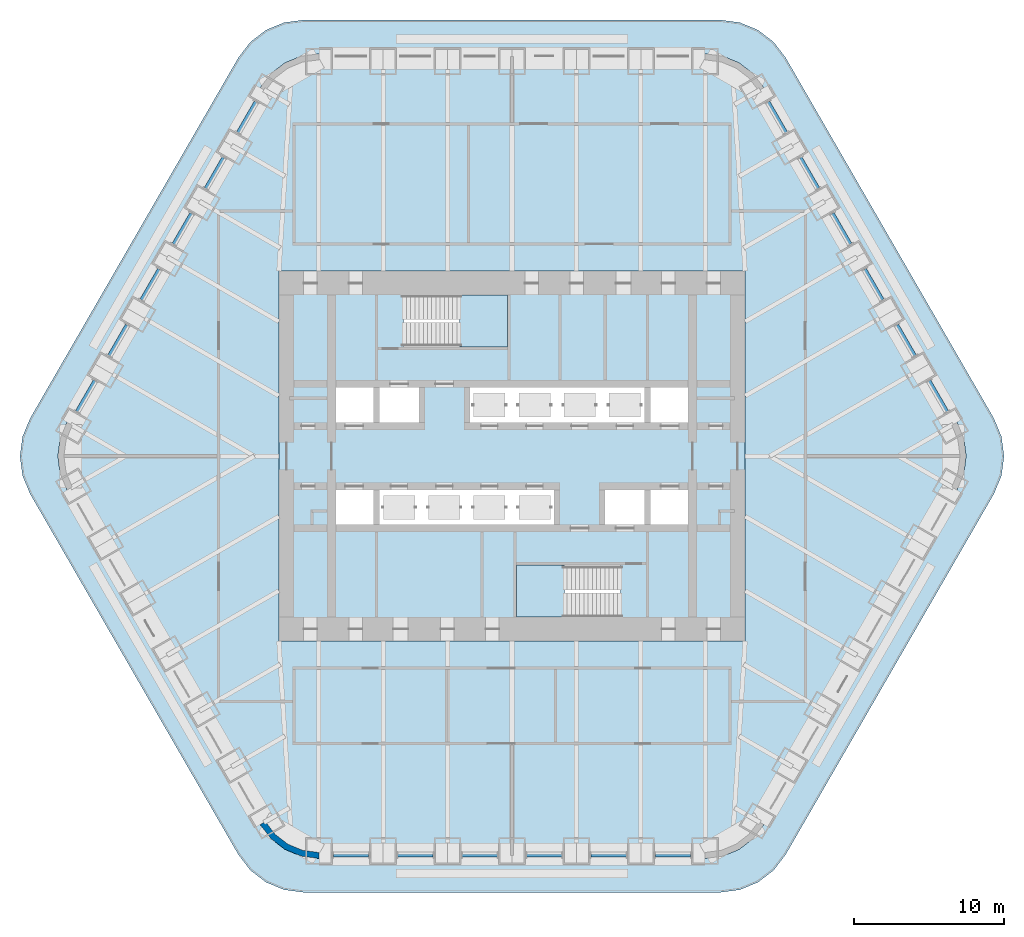
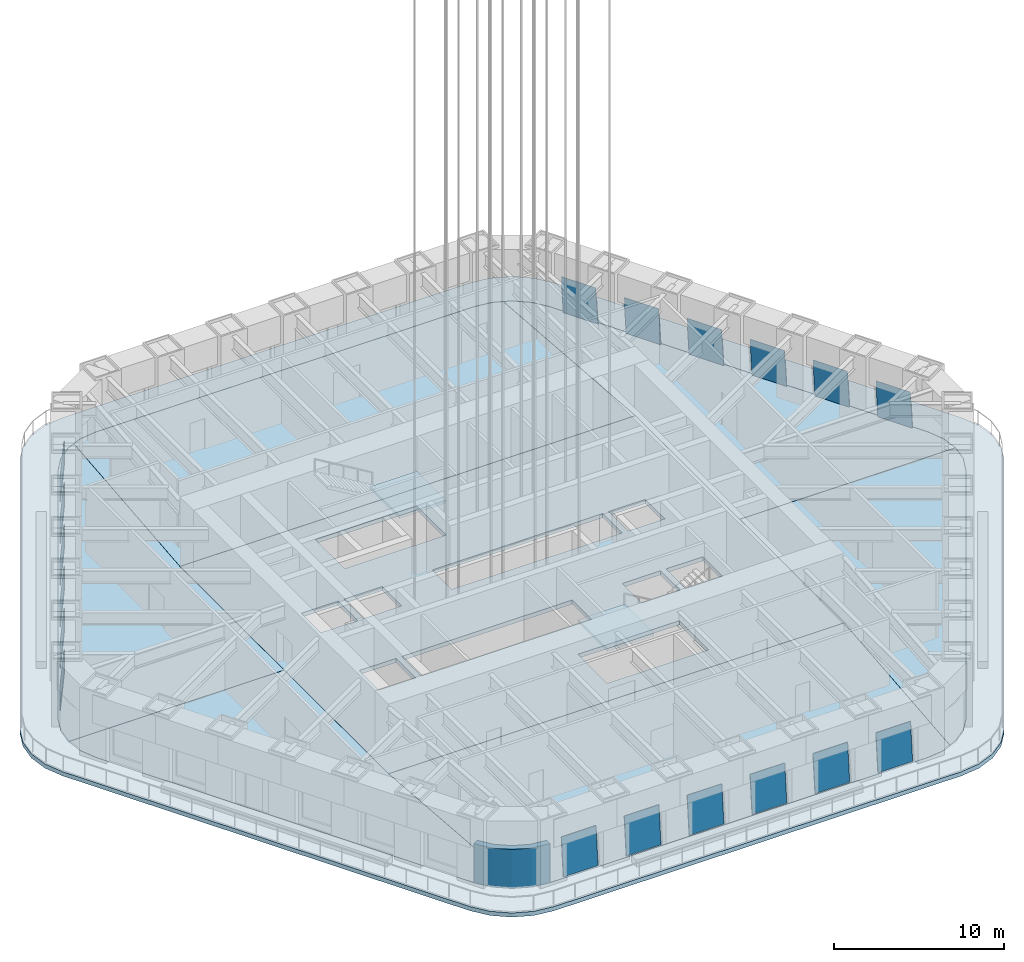
# One storey, part 6 of 14: 18 plates, 10 slabs, 1 wall, 20 elements without a shape of their own.
"""IFC4 building model written with IfcOpenShell, lengths in metres."""

from ifc_helpers import new_model, si_unit, direction, frame, origin, place, context, subcontext, project, spatial, polyline, outline, extrude, material, layer, layer_set, type_object, element, aggregate, save


model = new_model("IFC4")

# Units and contexts
model_context = context("Model", 3, precision=1e-05, world=origin(), true_north=direction((0.0, 1.0)))
body_context = subcontext(model_context, "Body", "Model", "MODEL_VIEW")
ifc_project = project(units=[si_unit("LENGTHUNIT", "METRE"), si_unit("AREAUNIT", "SQUARE_METRE"), si_unit("VOLUMEUNIT", "CUBIC_METRE"), si_unit("PLANEANGLEUNIT", "RADIAN"), si_unit("MASSUNIT", "GRAM", prefix="KILO")], contexts=[model_context])

# Site, building, storey
site_placement = place(None, origin())
site = spatial("IfcSite", under=ifc_project, at=site_placement, CompositionType="ELEMENT")
building_placement = place(site_placement, origin())
building = spatial("IfcBuilding", under=site, at=building_placement, Name="Tarfa Lantern Tower", CompositionType="ELEMENT")
storey_placement = place(building_placement, frame((0.0, 0.0, 306.5)))
storey = spatial("IfcBuildingStorey", under=building, at=storey_placement, Name="L69", CompositionType="ELEMENT", Elevation=306.5)

# Curtain wall, plate
ifc_material_1 = material(Name="Aluminium framed curtain wall", Category="aluminium")
curtain_wall_type = type_object("IfcCurtainWallType", Name="CW5 CANTED GLAZING SKY LOBBY 2800", PredefinedType="USERDEFINED", material=ifc_material_1)
curtain_wall_1_placement = place(storey_placement, origin())
curtain_wall_1 = element("IfcCurtainWall", 1, at=curtain_wall_1_placement, inside=storey, type_object=curtain_wall_type, Name="CW5 NE L69", ObjectType="CURTAIN WALL", PredefinedType="USERDEFINED")
ifc_material_2 = material(Name="Laminated double glazing", Category="glass")
ifc_layer_1 = layer(ifc_material_2, 0.028076171875)
ifc_layer_set_1 = layer_set([ifc_layer_1], Name="CWP1 DOUBLE GLAZED PANEL")
plate_type = type_object("IfcPlateType", Name="CWP1 DOUBLE GLAZED PANEL", PredefinedType="CURTAIN_PANEL", material=ifc_layer_set_1)
plate_1_placement = place(storey_placement, frame((29.02001953125, 3.03564453125, 0.0), z_axis=(0.862588469219, 0.49803292056, 0.088906371028), x_axis=(-0.500012978079, 0.866017910757, 0.0)))
plate_1 = element("IfcPlate", 2, at=plate_1_placement, type_object=plate_type, Name="CW5 panel 1.1", PredefinedType="CURTAIN_PANEL", context=body_context, shape_type="SweptSolid", body=[
    extrude(outline(polyline([(0.0, 0.0), (2.351989732630695, 0.0), (2.351990290159568, 2.745981542430032), (5.575288730408356e-07, 2.745981542430032), (0.0, 0.0)])), origin(), (0.0, 0.0, -1.0), 0.028076171875),
])
aggregate(curtain_wall_1, [plate_1])

curtain_wall_2_placement = place(storey_placement, origin())
curtain_wall_2 = element("IfcCurtainWall", 3, at=curtain_wall_2_placement, inside=storey, type_object=curtain_wall_type, Name="CW5 NE L69", ObjectType="CURTAIN WALL", PredefinedType="USERDEFINED")
plate_2_placement = place(storey_placement, frame((26.879150390625, 6.744140625, 0.0), z_axis=(0.862588469219, 0.49803292056, 0.088906371028), x_axis=(-0.500012978079, 0.866017910757, 0.0)))
plate_2 = element("IfcPlate", 4, at=plate_2_placement, type_object=plate_type, Name="CW5 panel 1.1", PredefinedType="CURTAIN_PANEL", context=body_context, shape_type="SweptSolid", body=[
    extrude(outline(polyline([(0.0, 0.0), (2.351989732630695, 0.0), (2.351990290159568, 2.745981542430032), (5.575288730408356e-07, 2.745981542430032), (0.0, 0.0)])), origin(), (0.0, 0.0, -1.0), 0.028076171875),
])
aggregate(curtain_wall_2, [plate_2])

curtain_wall_3_placement = place(storey_placement, origin())
curtain_wall_3 = element("IfcCurtainWall", 5, at=curtain_wall_3_placement, inside=storey, type_object=curtain_wall_type, Name="CW5 NE L69", ObjectType="CURTAIN WALL", PredefinedType="USERDEFINED")
plate_3_placement = place(storey_placement, frame((24.738037109375, 10.452392578125, 0.0), z_axis=(0.862588469219, 0.49803292056, 0.088906371028), x_axis=(-0.500012978079, 0.866017910757, 0.0)))
plate_3 = element("IfcPlate", 6, at=plate_3_placement, type_object=plate_type, Name="CW5 panel 1.1", PredefinedType="CURTAIN_PANEL", context=body_context, shape_type="SweptSolid", body=[
    extrude(outline(polyline([(0.0, 0.0), (2.351989732630695, 0.0), (2.351990290159568, 2.745981542430032), (5.575288730408356e-07, 2.745981542430032), (0.0, 0.0)])), origin(), (0.0, 0.0, -1.0), 0.028076171875),
])
aggregate(curtain_wall_3, [plate_3])

curtain_wall_4_placement = place(storey_placement, origin())
curtain_wall_4 = element("IfcCurtainWall", 7, at=curtain_wall_4_placement, inside=storey, type_object=curtain_wall_type, Name="CW5 NE L69", ObjectType="CURTAIN WALL", PredefinedType="USERDEFINED")
plate_4_placement = place(storey_placement, frame((22.59716796875, 14.16064453125, 0.0), z_axis=(0.862582561914, 0.498029509857, 0.088982757842), x_axis=(-0.500012978079, 0.866017910757, 0.0)))
plate_4 = element("IfcPlate", 8, at=plate_4_placement, type_object=plate_type, Name="CW5 panel 1.1", PredefinedType="CURTAIN_PANEL", context=body_context, shape_type="SweptSolid", body=[
    extrude(outline(polyline([(0.0, 0.0), (2.351989732630695, 2.7755575615628914e-17), (2.3521123636405443, 2.7460003479930153), (0.0001226310098494669, 2.7460003479930153), (0.0, 0.0)])), origin(), (0.0, 0.0, -1.0), 0.028076171875),
])
aggregate(curtain_wall_4, [plate_4])

curtain_wall_5_placement = place(storey_placement, origin())
curtain_wall_5 = element("IfcCurtainWall", 9, at=curtain_wall_5_placement, inside=storey, type_object=curtain_wall_type, Name="CW5 NE L69", ObjectType="CURTAIN WALL", PredefinedType="USERDEFINED")
plate_5_placement = place(storey_placement, frame((20.4560546875, 17.869140625, 0.0), z_axis=(0.862588469219, 0.49803292056, 0.088906371028), x_axis=(-0.500012978079, 0.866017910757, 0.0)))
plate_5 = element("IfcPlate", 10, at=plate_5_placement, type_object=plate_type, Name="CW5 panel 1.1", PredefinedType="CURTAIN_PANEL", context=body_context, shape_type="SweptSolid", body=[
    extrude(outline(polyline([(0.0, 0.0), (2.351989732630695, 0.0), (2.351990290159568, 2.745981542430032), (5.575288730408356e-07, 2.745981542430032), (0.0, 0.0)])), origin(), (0.0, 0.0, -1.0), 0.028076171875),
])
aggregate(curtain_wall_5, [plate_5])

curtain_wall_6_placement = place(storey_placement, origin())
curtain_wall_6 = element("IfcCurtainWall", 11, at=curtain_wall_6_placement, inside=storey, type_object=curtain_wall_type, Name="CW5 NE L69", ObjectType="CURTAIN WALL", PredefinedType="USERDEFINED")
plate_6_placement = place(storey_placement, frame((18.31494140625, 21.577392578125, 0.0), z_axis=(0.86260790088, 0.497992443316, 0.088944565542), x_axis=(-0.499973743609, 0.866040562379, -3.982264e-06)))
plate_6 = element("IfcPlate", 12, at=plate_6_placement, type_object=plate_type, Name="CW5 panel 1.1", PredefinedType="CURTAIN_PANEL", context=body_context, shape_type="SweptSolid", body=[
    extrude(outline(polyline([(0.0, 0.0), (2.3518676662961386, 1.3877787807814457e-17), (2.351968335538835, 2.746000346867055), (-2.1394659551728366e-05, 2.7459815403278216), (0.0, 0.0)])), origin(), (0.0, 0.0, -1.0), 0.028076171875),
])
aggregate(curtain_wall_6, [plate_6])

curtain_wall_7_placement = place(storey_placement, origin())
curtain_wall_7 = element("IfcCurtainWall", 13, at=curtain_wall_7_placement, inside=storey, type_object=curtain_wall_type, Name="CW5 NW L69", ObjectType="CURTAIN WALL", PredefinedType="USERDEFINED")
plate_7_placement = place(storey_placement, frame((-17.13916015625, 23.6142578125, 0.0), z_axis=(-0.86260790088, 0.497992443316, 0.088944565542), x_axis=(-0.499973743609, -0.866040562379, 3.982264e-06)))
plate_7 = element("IfcPlate", 14, at=plate_7_placement, type_object=plate_type, Name="CW5 panel 1.1", PredefinedType="CURTAIN_PANEL", context=body_context, shape_type="SweptSolid", body=[
    extrude(outline(polyline([(0.0, 0.0), (2.3518676662961386, -1.3877787807814457e-17), (2.351889060955691, 2.7459815403278216), (-0.00010066924269652555, 2.746000346867055), (0.0, 0.0)])), origin(), (0.0, 0.0, -1.0), 0.028076171875),
])
aggregate(curtain_wall_7, [plate_7])

curtain_wall_8_placement = place(storey_placement, origin())
curtain_wall_8 = element("IfcCurtainWall", 15, at=curtain_wall_8_placement, inside=storey, type_object=curtain_wall_type, Name="CW5 NW L69", ObjectType="CURTAIN WALL", PredefinedType="USERDEFINED")
plate_8_placement = place(storey_placement, frame((-19.280029296875, 19.906005859375, 0.0), z_axis=(-0.862588469219, 0.49803292056, 0.088906371028), x_axis=(-0.500012978079, -0.866017910757, 0.0)))
plate_8 = element("IfcPlate", 16, at=plate_8_placement, type_object=plate_type, Name="CW5 panel 1.1", PredefinedType="CURTAIN_PANEL", context=body_context, shape_type="SweptSolid", body=[
    extrude(outline(polyline([(0.0, 0.0), (2.351989732630695, 0.0), (2.3519891751018216, 2.745981542430032), (-5.575288730408356e-07, 2.745981542430032), (0.0, 0.0)])), origin(), (0.0, 0.0, -1.0), 0.028076171875),
])
aggregate(curtain_wall_8, [plate_8])

curtain_wall_9_placement = place(storey_placement, origin())
curtain_wall_9 = element("IfcCurtainWall", 17, at=curtain_wall_9_placement, inside=storey, type_object=curtain_wall_type, Name="CW5 NW L69", ObjectType="CURTAIN WALL", PredefinedType="USERDEFINED")
plate_9_placement = place(storey_placement, frame((-21.421142578125, 16.197509765625, 0.0), z_axis=(-0.862582561914, 0.498029509857, 0.088982757842), x_axis=(-0.500012978079, -0.866017910757, 0.0)))
plate_9 = element("IfcPlate", 18, at=plate_9_placement, type_object=plate_type, Name="CW5 panel 1.1", PredefinedType="CURTAIN_PANEL", context=body_context, shape_type="SweptSolid", body=[
    extrude(outline(polyline([(0.0, 0.0), (2.351989732630695, -2.7755575615628914e-17), (2.3518671016208454, 2.7460003479930153), (-0.0001226310098494669, 2.7460003479930153), (0.0, 0.0)])), origin(), (0.0, 0.0, -1.0), 0.028076171875),
])
aggregate(curtain_wall_9, [plate_9])

curtain_wall_10_placement = place(storey_placement, origin())
curtain_wall_10 = element("IfcCurtainWall", 19, at=curtain_wall_10_placement, inside=storey, type_object=curtain_wall_type, Name="CW5 NW L69", ObjectType="CURTAIN WALL", PredefinedType="USERDEFINED")
plate_10_placement = place(storey_placement, frame((-23.56201171875, 12.4892578125, 0.0), z_axis=(-0.862588469219, 0.49803292056, 0.088906371028), x_axis=(-0.500012978079, -0.866017910757, 0.0)))
plate_10 = element("IfcPlate", 20, at=plate_10_placement, type_object=plate_type, Name="CW5 panel 1.1", PredefinedType="CURTAIN_PANEL", context=body_context, shape_type="SweptSolid", body=[
    extrude(outline(polyline([(0.0, 0.0), (2.351989732630695, 0.0), (2.3519891751018216, 2.745981542430032), (-5.575288730408356e-07, 2.745981542430032), (0.0, 0.0)])), origin(), (0.0, 0.0, -1.0), 0.028076171875),
])
aggregate(curtain_wall_10, [plate_10])

curtain_wall_11_placement = place(storey_placement, origin())
curtain_wall_11 = element("IfcCurtainWall", 21, at=curtain_wall_11_placement, inside=storey, type_object=curtain_wall_type, Name="CW5 NW L69", ObjectType="CURTAIN WALL", PredefinedType="USERDEFINED")
plate_11_placement = place(storey_placement, frame((-25.703125, 8.781005859375, 0.0), z_axis=(-0.862588469219, 0.49803292056, 0.088906371028), x_axis=(-0.500012978079, -0.866017910757, 0.0)))
plate_11 = element("IfcPlate", 22, at=plate_11_placement, type_object=plate_type, Name="CW5 panel 1.1", PredefinedType="CURTAIN_PANEL", context=body_context, shape_type="SweptSolid", body=[
    extrude(outline(polyline([(0.0, 0.0), (2.351989732630695, 0.0), (2.3519891751018216, 2.745981542430032), (-5.575288730408356e-07, 2.745981542430032), (0.0, 0.0)])), origin(), (0.0, 0.0, -1.0), 0.028076171875),
])
aggregate(curtain_wall_11, [plate_11])

curtain_wall_12_placement = place(storey_placement, origin())
curtain_wall_12 = element("IfcCurtainWall", 23, at=curtain_wall_12_placement, inside=storey, type_object=curtain_wall_type, Name="CW5 NW L69", ObjectType="CURTAIN WALL", PredefinedType="USERDEFINED")
plate_12_placement = place(storey_placement, frame((-27.843994140625, 5.072509765625, 0.0), z_axis=(-0.862588469219, 0.49803292056, 0.088906371028), x_axis=(-0.500012978079, -0.866017910757, 0.0)))
plate_12 = element("IfcPlate", 24, at=plate_12_placement, type_object=plate_type, Name="CW5 panel 1.1", PredefinedType="CURTAIN_PANEL", context=body_context, shape_type="SweptSolid", body=[
    extrude(outline(polyline([(0.0, 0.0), (2.351989732630695, 0.0), (2.3519891751018216, 2.745981542430032), (-5.575288730408356e-07, 2.745981542430032), (0.0, 0.0)])), origin(), (0.0, 0.0, -1.0), 0.028076171875),
])
aggregate(curtain_wall_12, [plate_12])

curtain_wall_13_placement = place(storey_placement, origin())
curtain_wall_13 = element("IfcCurtainWall", 25, at=curtain_wall_13_placement, inside=storey, type_object=curtain_wall_type, Name="CW5 S L69", ObjectType="CURTAIN WALL", PredefinedType="USERDEFINED")
plate_13_placement = place(storey_placement, frame((-11.881103515625, -26.64990234375, 0.0), z_axis=(0.0, -0.996039814532, 0.088908311571), x_axis=(1.0, 0.0, 0.0)))
plate_13 = element("IfcPlate", 26, at=plate_13_placement, type_object=plate_type, Name="CW5 panel 1.1", PredefinedType="CURTAIN_PANEL", context=body_context, shape_type="SweptSolid", body=[
    extrude(outline(polyline([(0.0, 0.0), (2.35205078125, 0.0), (2.35205078125, 2.7459820199650076), (0.0, 2.7459820199650076), (0.0, 0.0)])), origin(), (0.0, 0.0, -1.0), 0.028076171875),
])
aggregate(curtain_wall_13, [plate_13])

curtain_wall_14_placement = place(storey_placement, origin())
curtain_wall_14 = element("IfcCurtainWall", 27, at=curtain_wall_14_placement, inside=storey, type_object=curtain_wall_type, Name="CW5 S L69", ObjectType="CURTAIN WALL", PredefinedType="USERDEFINED")
plate_14_placement = place(storey_placement, frame((-7.59912109375, -26.64990234375, 0.0), z_axis=(0.0, -0.996039814532, 0.088908311571), x_axis=(1.0, 0.0, 0.0)))
plate_14 = element("IfcPlate", 28, at=plate_14_placement, type_object=plate_type, Name="CW5 panel 1.1", PredefinedType="CURTAIN_PANEL", context=body_context, shape_type="SweptSolid", body=[
    extrude(outline(polyline([(0.0, 0.0), (2.35205078125, 0.0), (2.35205078125, 2.7459820199650076), (0.0, 2.7459820199650076), (0.0, 0.0)])), origin(), (0.0, 0.0, -1.0), 0.028076171875),
])
aggregate(curtain_wall_14, [plate_14])

curtain_wall_15_placement = place(storey_placement, origin())
curtain_wall_15 = element("IfcCurtainWall", 29, at=curtain_wall_15_placement, inside=storey, type_object=curtain_wall_type, Name="CW5 S L69", ObjectType="CURTAIN WALL", PredefinedType="USERDEFINED")
plate_15_placement = place(storey_placement, frame((-3.31689453125, -26.64990234375, 0.0), z_axis=(0.0, -0.996039814532, 0.088908311571), x_axis=(1.0, 0.0, 0.0)))
plate_15 = element("IfcPlate", 30, at=plate_15_placement, type_object=plate_type, Name="CW5 panel 1.1", PredefinedType="CURTAIN_PANEL", context=body_context, shape_type="SweptSolid", body=[
    extrude(outline(polyline([(0.0, 0.0), (2.351806640625, 0.0), (2.351806640625, 2.7459820199650076), (0.0, 2.7459820199650076), (0.0, 0.0)])), origin(), (0.0, 0.0, -1.0), 0.028076171875),
])
aggregate(curtain_wall_15, [plate_15])

curtain_wall_16_placement = place(storey_placement, origin())
curtain_wall_16 = element("IfcCurtainWall", 31, at=curtain_wall_16_placement, inside=storey, type_object=curtain_wall_type, Name="CW5 S L69", ObjectType="CURTAIN WALL", PredefinedType="USERDEFINED")
plate_16_placement = place(storey_placement, frame((0.965087890625, -26.64990234375, 0.0), z_axis=(0.0, -0.996039814532, 0.088908311571), x_axis=(1.0, 0.0, 0.0)))
plate_16 = element("IfcPlate", 32, at=plate_16_placement, type_object=plate_type, Name="CW5 panel 1.1", PredefinedType="CURTAIN_PANEL", context=body_context, shape_type="SweptSolid", body=[
    extrude(outline(polyline([(0.0, 0.0), (2.351806640625, 0.0), (2.351806640625, 2.7459820199650076), (0.0, 2.7459820199650076), (0.0, 0.0)])), origin(), (0.0, 0.0, -1.0), 0.028076171875),
])
aggregate(curtain_wall_16, [plate_16])

curtain_wall_17_placement = place(storey_placement, origin())
curtain_wall_17 = element("IfcCurtainWall", 33, at=curtain_wall_17_placement, inside=storey, type_object=curtain_wall_type, Name="CW5 S L69", ObjectType="CURTAIN WALL", PredefinedType="USERDEFINED")
plate_17_placement = place(storey_placement, frame((5.2470703125, -26.64990234375, 0.0), z_axis=(0.0, -0.996039814532, 0.088908311571), x_axis=(1.0, 0.0, 0.0)))
plate_17 = element("IfcPlate", 34, at=plate_17_placement, type_object=plate_type, Name="CW5 panel 1.1", PredefinedType="CURTAIN_PANEL", context=body_context, shape_type="SweptSolid", body=[
    extrude(outline(polyline([(0.0, 0.0), (2.35205078125, 0.0), (2.35205078125, 2.7459820199650076), (0.0, 2.7459820199650076), (0.0, 0.0)])), origin(), (0.0, 0.0, -1.0), 0.028076171875),
])
aggregate(curtain_wall_17, [plate_17])

curtain_wall_18_placement = place(storey_placement, origin())
curtain_wall_18 = element("IfcCurtainWall", 35, at=curtain_wall_18_placement, inside=storey, type_object=curtain_wall_type, Name="CW5 S L69", ObjectType="CURTAIN WALL", PredefinedType="USERDEFINED")
plate_18_placement = place(storey_placement, frame((9.529052734375, -26.64990234375, 0.0), z_axis=(0.0, -0.996039814532, 0.088908311571), x_axis=(1.0, 0.0, 0.0)))
plate_18 = element("IfcPlate", 36, at=plate_18_placement, type_object=plate_type, Name="CW5 panel 1.1", PredefinedType="CURTAIN_PANEL", context=body_context, shape_type="SweptSolid", body=[
    extrude(outline(polyline([(0.0, 0.0), (2.35205078125, 0.0), (2.35205078125, 2.7459820199650076), (0.0, 2.7459820199650076), (0.0, 0.0)])), origin(), (0.0, 0.0, -1.0), 0.028076171875),
])
aggregate(curtain_wall_18, [plate_18])

# Slabs
ifc_material_3 = material(Name="Concrete C40/50", Category="concrete")
ifc_layer_2 = layer(ifc_material_3, 0.300048828125)
ifc_layer_set_2 = layer_set([ifc_layer_2], Name="FS2 FLOOR SLAB 300")
slab_type_1 = type_object("IfcSlabType", Name="FS2 FLOOR SLAB 300", PredefinedType="FLOOR", material=ifc_layer_set_2)
slab_1_placement = place(storey_placement, frame((0.0, 0.0, -0.300048828125)))
element("IfcSlab", 37, at=slab_1_placement, inside=storey, type_object=slab_type_1, Name="Floor slab L69", PredefinedType="FLOOR", context=body_context, shape_type="SweptSolid", body=[
    extrude(outline(polyline([(-15.5, -12.300048828125), (15.5, -12.300048828125), (15.5, 12.300048828125), (-15.5, 12.300048828125), (-15.5, -12.300048828125)]), holes=[polyline([(-11.699951171875, 2.25), (-9.199951171875, 2.25), (-9.199951171875, 4.550048828125), (-11.699951171875, 4.550048828125), (-11.699951171875, 2.25)]), polyline([(-8.800048828125, 2.25), (-6.199951171875, 2.25), (-6.199951171875, 4.550048828125), (-8.800048828125, 4.550048828125), (-8.800048828125, 2.25)]), polyline([(-2.800048828125, 2.25), (8.800048828125, 2.25), (8.800048828125, 4.550048828125), (-2.800048828125, 4.550048828125), (-2.800048828125, 2.25)]), polyline([(9.199951171875, 2.25), (11.699951171875, 2.25), (11.699951171875, 4.550048828125), (9.199951171875, 4.550048828125), (9.199951171875, 2.25)]), polyline([(11.699951171875, -2.25), (9.199951171875, -2.25), (9.199951171875, -4.550048828125), (11.699951171875, -4.550048828125), (11.699951171875, -2.25)]), polyline([(8.800048828125, -2.25), (6.199951171875, -2.25), (6.199951171875, -4.550048828125), (8.800048828125, -4.550048828125), (8.800048828125, -2.25)]), polyline([(2.800048828125, -2.25), (-8.800048828125, -2.25), (-8.800048828125, -4.550048828125), (2.800048828125, -4.550048828125), (2.800048828125, -2.25)]), polyline([(-9.199951171875, -2.25), (-11.699951171875, -2.25), (-11.699951171875, -4.550048828125), (-9.199951171875, -4.550048828125), (-9.199951171875, -2.25)]), polyline([(-7.199951171875, 7.25), (-0.300048828125, 7.25), (-0.300048828125, 10.699951171875), (-7.199951171875, 10.699951171875), (-7.199951171875, 7.25)]), polyline([(7.199951171875, -7.25), (0.300048828125, -7.25), (0.300048828125, -10.699951171875), (7.199951171875, -10.699951171875), (7.199951171875, -7.25)])]), origin(), (0.0, 0.0, 1.0), 0.300048828125),
])
slab_2_placement = place(storey_placement, frame((0.0, 0.0, -0.300048828125)))
element("IfcSlab", 38, at=slab_2_placement, inside=storey, type_object=slab_type_1, Name="Floor slab L69 NE bay", PredefinedType="FLOOR", context=body_context, shape_type="SweptSolid", body=[
    extrude(outline(polyline([(29.58740234375, 2.2490234375), (16.741455078125, 24.498779296875), (16.026611328125, 25.4306640625), (15.094970703125, 26.145263671875), (14.616943359375, 26.343505859375), (15.501953125, 12.300048828125), (15.501953125, 0.001953125), (30.189697265625, 0.001953125), (30.036865234375, 1.1640625), (29.58740234375, 2.2490234375)])), origin(), (0.0, 0.0, 1.0), 0.300048828125),
])
slab_3_placement = place(storey_placement, frame((0.0, 0.0, -0.300048828125)))
element("IfcSlab", 39, at=slab_3_placement, inside=storey, type_object=slab_type_1, Name="Floor slab L69 N bay", PredefinedType="FLOOR", context=body_context, shape_type="SweptSolid", body=[
    extrude(outline(polyline([(-15.497802734375, 12.302001953125), (15.497802734375, 12.302001953125), (14.61279296875, 26.34521484375), (14.01025390625, 26.5947265625), (12.845947265625, 26.748046875), (-12.845947265625, 26.748046875), (-14.01025390625, 26.5947265625), (-14.61279296875, 26.34521484375), (-15.497802734375, 12.302001953125)])), origin(), (0.0, 0.0, 1.0), 0.300048828125),
])
slab_4_placement = place(storey_placement, frame((0.0, 0.0, -0.300048828125)))
element("IfcSlab", 40, at=slab_4_placement, inside=storey, type_object=slab_type_1, Name="Floor slab L69 NW bay", PredefinedType="FLOOR", context=body_context, shape_type="SweptSolid", body=[
    extrude(outline(polyline([(-15.501953125, 0.001953125), (-15.501953125, 12.300048828125), (-14.616943359375, 26.343505859375), (-15.094970703125, 26.145263671875), (-16.026611328125, 25.4306640625), (-16.741455078125, 24.498779296875), (-29.58740234375, 2.2490234375), (-30.036865234375, 1.1640625), (-30.189697265625, 0.001953125), (-15.501953125, 0.001953125)])), origin(), (0.0, 0.0, 1.0), 0.300048828125),
])
slab_5_placement = place(storey_placement, frame((0.0, 0.0, -0.300048828125)))
element("IfcSlab", 41, at=slab_5_placement, inside=storey, type_object=slab_type_1, Name="Floor slab L69 SW bay", PredefinedType="FLOOR", context=body_context, shape_type="SweptSolid", body=[
    extrude(outline(polyline([(-15.501953125, -12.300048828125), (-15.501953125, -0.001953125), (-30.189697265625, -0.001953125), (-30.036865234375, -1.1640625), (-29.58740234375, -2.2490234375), (-16.741455078125, -24.498779296875), (-16.026611328125, -25.4306640625), (-15.094970703125, -26.145263671875), (-14.616943359375, -26.343505859375), (-15.501953125, -12.300048828125)])), origin(), (0.0, 0.0, 1.0), 0.300048828125),
])
slab_6_placement = place(storey_placement, frame((0.0, 0.0, -0.300048828125)))
element("IfcSlab", 42, at=slab_6_placement, inside=storey, type_object=slab_type_1, Name="Floor slab L69 S bay", PredefinedType="FLOOR", context=body_context, shape_type="SweptSolid", body=[
    extrude(outline(polyline([(15.497802734375, -12.302001953125), (-15.497802734375, -12.302001953125), (-14.61279296875, -26.34521484375), (-14.01025390625, -26.5947265625), (-12.845947265625, -26.748046875), (12.845947265625, -26.748046875), (14.01025390625, -26.5947265625), (14.61279296875, -26.34521484375), (15.497802734375, -12.302001953125)])), origin(), (0.0, 0.0, 1.0), 0.300048828125),
])
slab_7_placement = place(storey_placement, frame((0.0, 0.0, -0.300048828125)))
element("IfcSlab", 43, at=slab_7_placement, inside=storey, type_object=slab_type_1, Name="Floor slab L69 SE bay", PredefinedType="FLOOR", context=body_context, shape_type="SweptSolid", body=[
    extrude(outline(polyline([(15.501953125, -0.001953125), (15.501953125, -12.300048828125), (14.616943359375, -26.343505859375), (15.094970703125, -26.145263671875), (16.026611328125, -25.4306640625), (16.741455078125, -24.498779296875), (29.58740234375, -2.2490234375), (30.036865234375, -1.1640625), (30.189697265625, -0.001953125), (15.501953125, -0.001953125)])), origin(), (0.0, 0.0, 1.0), 0.300048828125),
])
slab_8_placement = place(storey_placement, frame((0.0, 0.0, -0.300048828125)))
element("IfcSlab", 44, at=slab_8_placement, inside=storey, type_object=slab_type_1, Name="Sky garden terrace L69", PredefinedType="FLOOR", context=body_context, shape_type="SweptSolid", body=[
    extrude(outline(polyline([(32.04296875, 2.5), (18.1865234375, 26.5), (17.391845703125, 27.53564453125), (16.3564453125, 28.330078125), (15.150390625, 28.82958984375), (13.8564453125, 29.0), (-13.8564453125, 29.0), (-15.150390625, 28.82958984375), (-16.3564453125, 28.330078125), (-17.391845703125, 27.53564453125), (-18.1865234375, 26.5), (-32.04296875, 2.5), (-32.54248046875, 1.294189453125), (-32.712890625, 0.0), (-32.54248046875, -1.294189453125), (-32.04296875, -2.5), (-18.1865234375, -26.5), (-17.391845703125, -27.53564453125), (-16.3564453125, -28.330078125), (-15.150390625, -28.82958984375), (-13.8564453125, -29.0), (13.8564453125, -29.0), (15.150390625, -28.82958984375), (16.3564453125, -28.330078125), (17.391845703125, -27.53564453125), (18.1865234375, -26.5), (32.04296875, -2.5), (32.54248046875, -1.294189453125), (32.712890625, 0.0), (32.54248046875, 1.294189453125), (32.04296875, 2.5)]), holes=[polyline([(29.589111328125, 2.25), (16.7431640625, 24.5), (16.028076171875, 25.431884765625), (15.095947265625, 26.147216796875), (14.0107421875, 26.5966796875), (12.845947265625, 26.75), (-12.845947265625, 26.75), (-14.0107421875, 26.5966796875), (-15.095947265625, 26.147216796875), (-16.028076171875, 25.431884765625), (-16.7431640625, 24.5), (-29.589111328125, 2.25), (-30.038818359375, 1.164794921875), (-30.192138671875, 0.0), (-30.038818359375, -1.164794921875), (-29.589111328125, -2.25), (-16.7431640625, -24.5), (-16.028076171875, -25.431884765625), (-15.095947265625, -26.147216796875), (-14.0107421875, -26.5966796875), (-12.845947265625, -26.75), (12.845947265625, -26.75), (14.0107421875, -26.5966796875), (15.095947265625, -26.147216796875), (16.028076171875, -25.431884765625), (16.7431640625, -24.5), (29.589111328125, -2.25), (30.038818359375, -1.164794921875), (30.192138671875, 0.0), (30.038818359375, 1.164794921875), (29.589111328125, 2.25)])]), origin(), (0.0, 0.0, 1.0), 0.300048828125),
])

# Stair, slab
stair_type = type_object("IfcStairType", Name="ST-T9 HALF-TURN STAIR 5000 RISE", PredefinedType="HALF_TURN_STAIR", material=ifc_material_3)
stair_1_placement = place(storey_placement, origin())
stair_1 = element("IfcStair", 45, at=stair_1_placement, inside=storey, type_object=stair_type, Name="Stair ST1", PredefinedType="HALF_TURN_STAIR")
ifc_layer_3 = layer(ifc_material_3, 0.199951171875)
ifc_layer_set_3 = layer_set([ifc_layer_3], Name="SL1 STAIR LANDING 200")
slab_type_2 = type_object("IfcSlabType", Name="SL1 STAIR LANDING 200", PredefinedType="LANDING", material=ifc_layer_set_3)
slab_9_placement = place(storey_placement, frame((0.0, 0.0, 2.300048828125)))
slab_9 = element("IfcSlab", 46, at=slab_9_placement, type_object=slab_type_2, Name="ST1 landing 1", PredefinedType="LANDING", context=body_context, shape_type="SweptSolid", body=[
    extrude(outline(polyline([(-3.47998046875, 7.25), (-0.300048828125, 7.25), (-0.300048828125, 10.699951171875), (-3.47998046875, 10.699951171875), (-3.47998046875, 7.25)])), origin(), (0.0, 0.0, 1.0), 0.199951171875),
])
aggregate(stair_1, [slab_9])

stair_2_placement = place(storey_placement, origin())
stair_2 = element("IfcStair", 47, at=stair_2_placement, inside=storey, type_object=stair_type, Name="Stair ST2", PredefinedType="HALF_TURN_STAIR")
slab_10_placement = place(storey_placement, frame((0.0, 0.0, 2.300048828125)))
slab_10 = element("IfcSlab", 48, at=slab_10_placement, type_object=slab_type_2, Name="ST2 landing 1", PredefinedType="LANDING", context=body_context, shape_type="SweptSolid", body=[
    extrude(outline(polyline([(3.47998046875, -7.25), (0.300048828125, -7.25), (0.300048828125, -10.699951171875), (3.47998046875, -10.699951171875), (3.47998046875, -7.25)])), origin(), (0.0, 0.0, 1.0), 0.199951171875),
])
aggregate(stair_2, [slab_10])

# Wall
ifc_material_4 = material(Name="Limestone cladding on blockwork", Category="masonry")
ifc_layer_4 = layer(ifc_material_4, 0.39990234375)
ifc_layer_set_4 = layer_set([ifc_layer_4], Name="EW2 CURVED STONE CORNER 400")
wall_type = type_object("IfcWallType", Name="EW2 CURVED STONE CORNER 400", PredefinedType="SOLIDWALL", material=ifc_layer_set_4)
wall_placement = place(storey_placement, origin())
element("IfcWall", 49, at=wall_placement, inside=storey, type_object=wall_type, Name="Stone corner SW-S", PredefinedType="SOLIDWALL", context=body_context, shape_type="SweptSolid", body=[
    extrude(outline(polyline([(-16.7431640625, -24.5), (-16.028076171875, -25.431884765625), (-15.095947265625, -26.147216796875), (-14.0107421875, -26.5966796875), (-12.845947265625, -26.75), (-12.845947265625, -26.35009765625), (-13.9072265625, -26.210205078125), (-14.89599609375, -25.80078125), (-15.7451171875, -25.149169921875), (-16.396728515625, -24.300048828125), (-16.7431640625, -24.5)])), origin(), (0.0, 0.0, 1.0), 2.800048828125),
])

save(model, "model.ifc")
